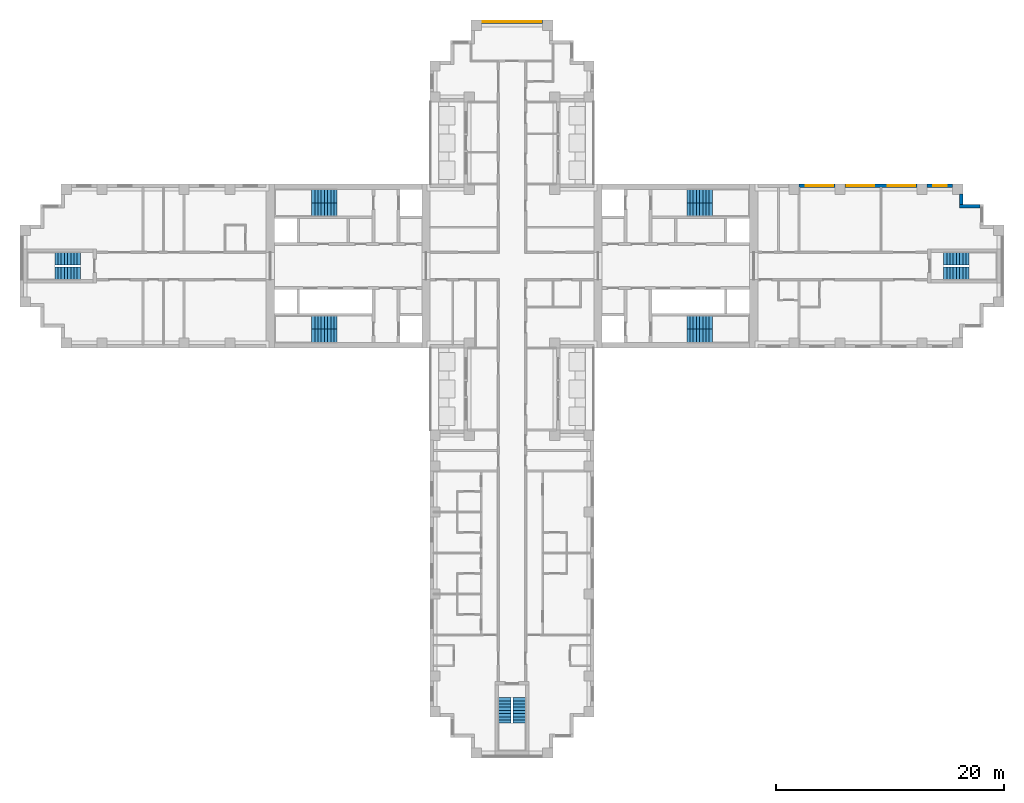
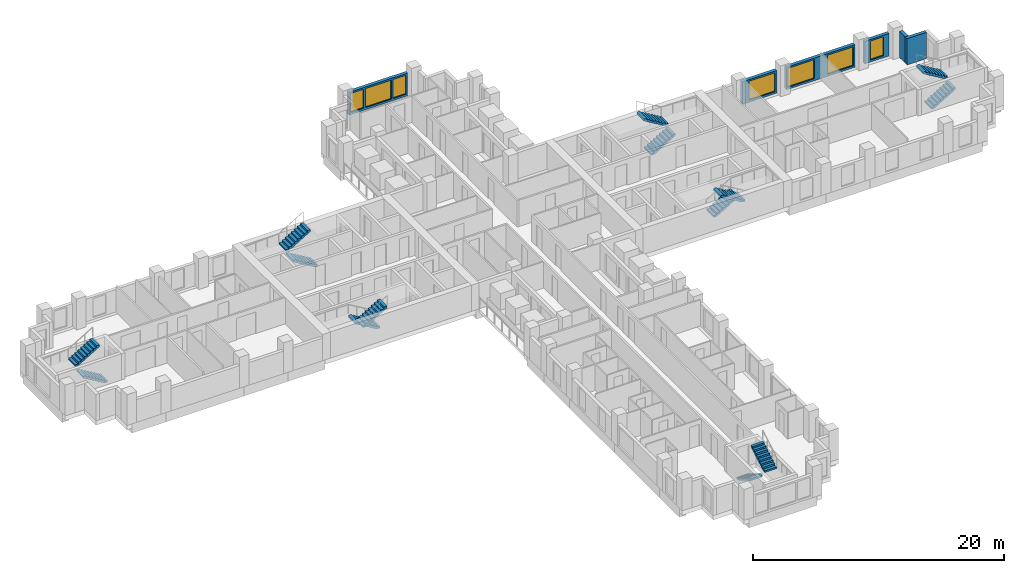
# One storey, part 11 of 13: 14 stair flights, 7 windows, 6 walls, 7 openings, 7 elements without a shape of their own.
"""IFC4 building model written with IfcOpenShell, lengths in metres."""

from ifc_helpers import new_model, si_unit, direction, frame, frame_2d, origin, place, context, subcontext, project, spatial, polyline, rectangle, outline, extrude, material, layer, layer_set, type_object, element, fill, aggregate, save


model = new_model("IFC4")

# Units and contexts
model_context = context("Model", 3, precision=1e-05, world=origin(), true_north=direction((0.0, 1.0)))
body_context = subcontext(model_context, "Body", "Model", "MODEL_VIEW")
ifc_project = project(units=[si_unit("LENGTHUNIT", "METRE"), si_unit("AREAUNIT", "SQUARE_METRE"), si_unit("VOLUMEUNIT", "CUBIC_METRE"), si_unit("PLANEANGLEUNIT", "RADIAN"), si_unit("MASSUNIT", "GRAM", prefix="KILO")], contexts=[model_context])

# Site, building, storey
site_placement = place(None, origin())
site = spatial("IfcSite", under=ifc_project, at=site_placement, CompositionType="ELEMENT")
building_placement = place(site_placement, origin())
building = spatial("IfcBuilding", under=site, at=building_placement, Name="Fustian Cross Tower", CompositionType="ELEMENT")
storey_placement = place(building_placement, frame((0.0, 0.0, 108.89990234375)))
storey = spatial("IfcBuildingStorey", under=building, at=storey_placement, Name="L34", CompositionType="ELEMENT", Elevation=108.89990234375)

# Walls
ifc_material_1 = material(Name="Dark aluminium cladding on insulated backing wall", Category="aluminium")
ifc_layer = layer(ifc_material_1, 0.300048828125)
ifc_layer_set = layer_set([ifc_layer], Name="Dark aluminium cladding on insulated backing wall")
wall_type = type_object("IfcWallType", Name="XW1 EXTERNAL WALL 300", PredefinedType="SOLIDWALL", material=ifc_layer_set)
wall_1_placement = place(storey_placement, frame((41.10009765625, 5.25, 0.0), z_axis=(0.0, 0.0, 1.0), x_axis=(-1.0, 0.0, 0.0)))
element("IfcWall", 1, at=wall_1_placement, inside=storey, type_object=wall_type, Name="External wall", PredefinedType="SOLIDWALL", context=body_context, shape_type="SweptSolid", body=[
    extrude(rectangle(XDim=1.800048828125, YDim=0.300048828125, at=frame_2d((0.89990234375, 0.0))), origin(), (0.0, 0.0, 1.0), 2.550048828125),
])
wall_2_placement = place(storey_placement, frame((39.449951171875, 5.39990234375, 0.0), z_axis=(0.0, 0.0, 1.0), x_axis=(0.0, 1.0, 0.0)))
element("IfcWall", 2, at=wall_2_placement, inside=storey, type_object=wall_type, Name="External wall", PredefinedType="SOLIDWALL", context=body_context, shape_type="SweptSolid", body=[
    extrude(rectangle(XDim=0.900146484375, YDim=0.300048828125, at=frame_2d((0.4501953125, 0.0))), origin(), (0.0, 0.0, 1.0), 2.550048828125),
])

# Wall, opening, window
wall_3_placement = place(storey_placement, frame((38.699951171875, 7.050048828125, 0.0), z_axis=(0.0, 0.0, 1.0), x_axis=(-1.0, 0.0, 0.0)))
wall_3 = element("IfcWall", 3, at=wall_3_placement, inside=storey, type_object=wall_type, Name="External wall", PredefinedType="SOLIDWALL", context=body_context, shape_type="SweptSolid", body=[
    extrude(rectangle(XDim=2.25, YDim=0.300048828125, at=frame_2d((1.125, 0.0))), origin(), (0.0, 0.0, 1.0), 2.2001953125),
])
opening_1_placement = place(wall_3_placement, frame((0.52490234375, 0.0, 0.199951171875)))
opening_1 = element("IfcOpeningElement", 4, at=opening_1_placement, cuts=wall_3, Name="Opening WN3", PredefinedType="OPENING", context=body_context, shape_type="SweptSolid", body=[
    extrude(rectangle(XDim=1.199951171875, YDim=1.85009765625, at=frame_2d((0.60009765625, 0.925048828125))), frame((0.0, 0.159912109375, 0.0), z_axis=(0.0, -1.0, 0.0), x_axis=(1.0, 0.0, 0.0)), (0.0, 0.0, 1.0), 0.320068359375),
])
ifc_material_2 = material(Name="Dark anodised aluminium and double glazing", Category="aluminium")
window_type_1 = type_object("IfcWindowType", Name="WN3 WINDOW 1200X1850", PartitioningType="SINGLE_PANEL", PredefinedType="WINDOW", material=ifc_material_2)
window_1_placement = place(opening_1_placement, origin())
window_1 = element("IfcWindow", 5, at=window_1_placement, inside=storey, type_object=window_type_1, Name="Window", OverallHeight=1.85009765625, OverallWidth=1.199951171875, PartitioningType="SINGLE_PANEL", PredefinedType="WINDOW", context=body_context, shape_type="SweptSolid", body=[
    extrude(rectangle(XDim=1.199951171875, YDim=1.85009765625, at=frame_2d((0.60009765625, 0.925048828125))), frame((0.0, 0.030029296875, 0.0), z_axis=(0.0, -1.0, 0.0), x_axis=(1.0, 0.0, 0.0)), (0.0, 0.0, 1.0), 0.06005859375),
])
fill(opening_1, window_1)

# Wall, openings, windows
wall_4_placement = place(storey_placement, frame((35.550048828125, 7.050048828125, 0.0), z_axis=(0.0, 0.0, 1.0), x_axis=(-1.0, 0.0, 0.0)))
wall_4 = element("IfcWall", 6, at=wall_4_placement, inside=storey, type_object=wall_type, Name="External wall", PredefinedType="SOLIDWALL", context=body_context, shape_type="SweptSolid", body=[
    extrude(rectangle(XDim=6.300048828125, YDim=0.300048828125, at=frame_2d((3.14990234375, 0.0))), origin(), (0.0, 0.0, 1.0), 2.2001953125),
])
opening_2_placement = place(wall_4_placement, frame((0.14990234375, 0.0, 0.199951171875)))
opening_2 = element("IfcOpeningElement", 7, at=opening_2_placement, cuts=wall_4, Name="Opening WN1", PredefinedType="OPENING", context=body_context, shape_type="SweptSolid", body=[
    extrude(rectangle(XDim=2.39990234375, YDim=1.85009765625, at=frame_2d((1.199951171875, 0.925048828125))), frame((0.0, 0.159912109375, 0.0), z_axis=(0.0, -1.0, 0.0), x_axis=(1.0, 0.0, 0.0)), (0.0, 0.0, 1.0), 0.320068359375),
])
opening_3_placement = place(wall_4_placement, frame((3.75, 0.0, 0.199951171875)))
opening_3 = element("IfcOpeningElement", 8, at=opening_3_placement, cuts=wall_4, Name="Opening WN1", PredefinedType="OPENING", context=body_context, shape_type="SweptSolid", body=[
    extrude(rectangle(XDim=2.39990234375, YDim=1.85009765625, at=frame_2d((1.199951171875, 0.925048828125))), frame((0.0, 0.159912109375, 0.0), z_axis=(0.0, -1.0, 0.0), x_axis=(1.0, 0.0, 0.0)), (0.0, 0.0, 1.0), 0.320068359375),
])
ifc_material_3 = material(Name="Dark anodised aluminium and double glazing", Category="aluminium")
window_type_2 = type_object("IfcWindowType", Name="WN1 WINDOW 2400X1850", PartitioningType="SINGLE_PANEL", PredefinedType="WINDOW", material=ifc_material_3)
window_2_placement = place(opening_2_placement, origin())
window_2 = element("IfcWindow", 9, at=window_2_placement, inside=storey, type_object=window_type_2, Name="Window", OverallHeight=1.85009765625, OverallWidth=2.39990234375, PartitioningType="SINGLE_PANEL", PredefinedType="WINDOW", context=body_context, shape_type="SweptSolid", body=[
    extrude(rectangle(XDim=2.39990234375, YDim=1.85009765625, at=frame_2d((1.199951171875, 0.925048828125))), frame((0.0, 0.030029296875, 0.0), z_axis=(0.0, -1.0, 0.0), x_axis=(1.0, 0.0, 0.0)), (0.0, 0.0, 1.0), 0.06005859375),
])
fill(opening_2, window_2)
window_3_placement = place(opening_3_placement, origin())
window_3 = element("IfcWindow", 10, at=window_3_placement, inside=storey, type_object=window_type_2, Name="Window", OverallHeight=1.85009765625, OverallWidth=2.39990234375, PartitioningType="SINGLE_PANEL", PredefinedType="WINDOW", context=body_context, shape_type="SweptSolid", body=[
    extrude(rectangle(XDim=2.39990234375, YDim=1.85009765625, at=frame_2d((1.199951171875, 0.925048828125))), frame((0.0, 0.030029296875, 0.0), z_axis=(0.0, -1.0, 0.0), x_axis=(1.0, 0.0, 0.0)), (0.0, 0.0, 1.0), 0.06005859375),
])
fill(opening_3, window_3)

# Wall, opening, window
wall_5_placement = place(storey_placement, frame((28.35009765625, 7.050048828125, 0.0), z_axis=(0.0, 0.0, 1.0), x_axis=(-1.0, 0.0, 0.0)))
wall_5 = element("IfcWall", 11, at=wall_5_placement, inside=storey, type_object=wall_type, Name="External wall", PredefinedType="SOLIDWALL", context=body_context, shape_type="SweptSolid", body=[
    extrude(rectangle(XDim=3.150146484375, YDim=0.300048828125, at=frame_2d((1.5751953125, 0.0))), origin(), (0.0, 0.0, 1.0), 2.2001953125),
])
opening_4_placement = place(wall_5_placement, frame((0.14990234375, 0.0, 0.199951171875)))
opening_4 = element("IfcOpeningElement", 12, at=opening_4_placement, cuts=wall_5, Name="Opening WN1", PredefinedType="OPENING", context=body_context, shape_type="SweptSolid", body=[
    extrude(rectangle(XDim=2.39990234375, YDim=1.85009765625, at=frame_2d((1.199951171875, 0.925048828125))), frame((0.0, 0.159912109375, 0.0), z_axis=(0.0, -1.0, 0.0), x_axis=(1.0, 0.0, 0.0)), (0.0, 0.0, 1.0), 0.320068359375),
])
window_4_placement = place(opening_4_placement, origin())
window_4 = element("IfcWindow", 13, at=window_4_placement, inside=storey, type_object=window_type_2, Name="Window", OverallHeight=1.85009765625, OverallWidth=2.39990234375, PartitioningType="SINGLE_PANEL", PredefinedType="WINDOW", context=body_context, shape_type="SweptSolid", body=[
    extrude(rectangle(XDim=2.39990234375, YDim=1.85009765625, at=frame_2d((1.199951171875, 0.925048828125))), frame((0.0, 0.030029296875, 0.0), z_axis=(0.0, -1.0, 0.0), x_axis=(1.0, 0.0, 0.0)), (0.0, 0.0, 1.0), 0.06005859375),
])
fill(opening_4, window_4)

# Wall, openings, windows
wall_6_placement = place(storey_placement, frame((2.699951171875, 21.449951171875, 0.0), z_axis=(0.0, 0.0, 1.0), x_axis=(-1.0, 0.0, 0.0)))
wall_6 = element("IfcWall", 14, at=wall_6_placement, inside=storey, type_object=wall_type, Name="External wall", PredefinedType="SOLIDWALL", context=body_context, shape_type="SweptSolid", body=[
    extrude(rectangle(XDim=5.39990234375, YDim=0.300048828125, at=frame_2d((2.699951171875, 0.0))), origin(), (0.0, 0.0, 1.0), 2.2001953125),
])
opening_5_placement = place(wall_6_placement, frame((1.5, 0.0, 0.199951171875)))
opening_5 = element("IfcOpeningElement", 15, at=opening_5_placement, cuts=wall_6, Name="Opening WN1", PredefinedType="OPENING", context=body_context, shape_type="SweptSolid", body=[
    extrude(rectangle(XDim=2.39990234375, YDim=1.85009765625, at=frame_2d((1.199951171875, 0.925048828125))), frame((0.0, 0.159912109375, 0.0), z_axis=(0.0, -1.0, 0.0), x_axis=(1.0, 0.0, 0.0)), (0.0, 0.0, 1.0), 0.320068359375),
])
opening_6_placement = place(wall_6_placement, frame((0.14990234375, 0.0, 0.199951171875)))
opening_6 = element("IfcOpeningElement", 16, at=opening_6_placement, cuts=wall_6, Name="Opening WN3", PredefinedType="OPENING", context=body_context, shape_type="SweptSolid", body=[
    extrude(rectangle(XDim=1.199951171875, YDim=1.85009765625, at=frame_2d((0.60009765625, 0.925048828125))), frame((0.0, 0.159912109375, 0.0), z_axis=(0.0, -1.0, 0.0), x_axis=(1.0, 0.0, 0.0)), (0.0, 0.0, 1.0), 0.320068359375),
])
opening_7_placement = place(wall_6_placement, frame((4.050048828125, 0.0, 0.199951171875)))
opening_7 = element("IfcOpeningElement", 17, at=opening_7_placement, cuts=wall_6, Name="Opening WN3", PredefinedType="OPENING", context=body_context, shape_type="SweptSolid", body=[
    extrude(rectangle(XDim=1.199951171875, YDim=1.85009765625, at=frame_2d((0.60009765625, 0.925048828125))), frame((0.0, 0.159912109375, 0.0), z_axis=(0.0, -1.0, 0.0), x_axis=(1.0, 0.0, 0.0)), (0.0, 0.0, 1.0), 0.320068359375),
])
window_5_placement = place(opening_5_placement, origin())
window_5 = element("IfcWindow", 18, at=window_5_placement, inside=storey, type_object=window_type_2, Name="Window", OverallHeight=1.85009765625, OverallWidth=2.39990234375, PartitioningType="SINGLE_PANEL", PredefinedType="WINDOW", context=body_context, shape_type="SweptSolid", body=[
    extrude(rectangle(XDim=2.39990234375, YDim=1.85009765625, at=frame_2d((1.199951171875, 0.925048828125))), frame((0.0, 0.030029296875, 0.0), z_axis=(0.0, -1.0, 0.0), x_axis=(1.0, 0.0, 0.0)), (0.0, 0.0, 1.0), 0.06005859375),
])
fill(opening_5, window_5)
window_6_placement = place(opening_6_placement, origin())
window_6 = element("IfcWindow", 19, at=window_6_placement, inside=storey, type_object=window_type_1, Name="Window", OverallHeight=1.85009765625, OverallWidth=1.199951171875, PartitioningType="SINGLE_PANEL", PredefinedType="WINDOW", context=body_context, shape_type="SweptSolid", body=[
    extrude(rectangle(XDim=1.199951171875, YDim=1.85009765625, at=frame_2d((0.60009765625, 0.925048828125))), frame((0.0, 0.030029296875, 0.0), z_axis=(0.0, -1.0, 0.0), x_axis=(1.0, 0.0, 0.0)), (0.0, 0.0, 1.0), 0.06005859375),
])
fill(opening_6, window_6)
window_7_placement = place(opening_7_placement, origin())
window_7 = element("IfcWindow", 20, at=window_7_placement, inside=storey, type_object=window_type_1, Name="Window", OverallHeight=1.85009765625, OverallWidth=1.199951171875, PartitioningType="SINGLE_PANEL", PredefinedType="WINDOW", context=body_context, shape_type="SweptSolid", body=[
    extrude(rectangle(XDim=1.199951171875, YDim=1.85009765625, at=frame_2d((0.60009765625, 0.925048828125))), frame((0.0, 0.030029296875, 0.0), z_axis=(0.0, -1.0, 0.0), x_axis=(1.0, 0.0, 0.0)), (0.0, 0.0, 1.0), 0.06005859375),
])
fill(opening_7, window_7)

# Stair, stair flights
ifc_material_4 = material(Name="Concrete C50/60", Category="concrete")
stair_type_1 = type_object("IfcStairType", Name="STAIR 1100 HALF TURN", PredefinedType="HALF_TURN_STAIR", material=ifc_material_4)
stair_1_placement = place(storey_placement, origin())
stair_1 = element("IfcStair", 21, at=stair_1_placement, inside=storey, type_object=stair_type_1, Name="Stair ST6", PredefinedType="HALF_TURN_STAIR")
ifc_material_5 = material(Name="Concrete C50/60", Category="concrete")
stair_flight_type_1 = type_object("IfcStairFlightType", Name="STAIR FLIGHT 1100", PredefinedType="STRAIGHT", material=ifc_material_5)
stair_flight_1_placement = place(storey_placement, frame((-0.64990234375, -37.89990234375, 0.0), z_axis=(0.0, 0.0, 1.0), x_axis=(0.0, -1.0, 0.0)))
stair_flight_1 = element("IfcStairFlight", 22, at=stair_flight_1_placement, type_object=stair_flight_type_1, Name="ST6 flight 1", NumberOfRisers=9, NumberOfTreads=8, PredefinedType="STRAIGHT", RiserHeight=0.166666667, TreadLength=0.28, context=body_context, shape_type="SweptSolid", body=[
    extrude(outline(polyline([(0.0, 0.0), (0.0, 0.166748046875), (0.280029296875, 0.166748046875), (0.280029296875, 0.333251953125), (0.56005859375, 0.333251953125), (0.56005859375, 0.5), (0.840087890625, 0.5), (0.840087890625, 0.666748046875), (1.1201171875, 0.666748046875), (1.1201171875, 0.833251953125), (1.39990234375, 0.833251953125), (1.39990234375, 1.0), (1.679931640625, 1.0), (1.679931640625, 1.166748046875), (1.9599609375, 1.166748046875), (1.9599609375, 1.333251953125), (2.239990234375, 1.333251953125), (2.239990234375, 1.5), (2.239990234375, 1.158935546875), (0.29296875, 0.0), (0.0, 0.0)])), frame((0.0, 0.550048828125, 0.0), z_axis=(0.0, -1.0, 0.0), x_axis=(1.0, 0.0, 0.0)), (0.0, 0.0, 1.0), 1.10009765625),
])
stair_flight_2_placement = place(storey_placement, frame((0.64990234375, -40.139892578125, 1.5), z_axis=(0.0, 0.0, 1.0), x_axis=(0.0, 1.0, 0.0)))
stair_flight_2 = element("IfcStairFlight", 23, at=stair_flight_2_placement, type_object=stair_flight_type_1, Name="ST6 flight 2", NumberOfRisers=9, NumberOfTreads=8, PredefinedType="STRAIGHT", RiserHeight=0.166666667, TreadLength=0.28, context=body_context, shape_type="SweptSolid", body=[
    extrude(outline(polyline([(0.0, 0.0), (0.0, 0.166748046875), (0.280029296875, 0.166748046875), (0.280029296875, 0.333251953125), (0.56005859375, 0.333251953125), (0.56005859375, 0.5), (0.840087890625, 0.5), (0.840087890625, 0.666748046875), (1.1201171875, 0.666748046875), (1.1201171875, 0.833251953125), (1.39990234375, 0.833251953125), (1.39990234375, 1.0), (1.679931640625, 1.0), (1.679931640625, 1.166748046875), (1.9599609375, 1.166748046875), (1.9599609375, 1.333251953125), (2.239990234375, 1.333251953125), (2.239990234375, 1.5), (2.239990234375, 1.158935546875), (0.29296875, 0.0), (0.0, 0.0)])), frame((0.0, 0.550048828125, 0.0), z_axis=(0.0, -1.0, 0.0), x_axis=(1.0, 0.0, 0.0)), (0.0, 0.0, 1.0), 1.10009765625),
])
aggregate(stair_1, [stair_flight_1, stair_flight_2])

stair_2_placement = place(storey_placement, origin())
stair_2 = element("IfcStair", 24, at=stair_2_placement, inside=storey, type_object=stair_type_1, Name="Stair ST8", PredefinedType="HALF_TURN_STAIR")
stair_flight_3_placement = place(storey_placement, frame((37.89990234375, -0.64990234375, 0.0), z_axis=(0.0, 0.0, 1.0), x_axis=(1.0, 0.0, 0.0)))
stair_flight_3 = element("IfcStairFlight", 25, at=stair_flight_3_placement, type_object=stair_flight_type_1, Name="ST8 flight 1", NumberOfRisers=9, NumberOfTreads=8, PredefinedType="STRAIGHT", RiserHeight=0.166666667, TreadLength=0.28, context=body_context, shape_type="SweptSolid", body=[
    extrude(outline(polyline([(0.0, 0.0), (0.0, 0.166748046875), (0.280029296875, 0.166748046875), (0.280029296875, 0.333251953125), (0.56005859375, 0.333251953125), (0.56005859375, 0.5), (0.840087890625, 0.5), (0.840087890625, 0.666748046875), (1.1201171875, 0.666748046875), (1.1201171875, 0.833251953125), (1.39990234375, 0.833251953125), (1.39990234375, 1.0), (1.679931640625, 1.0), (1.679931640625, 1.166748046875), (1.9599609375, 1.166748046875), (1.9599609375, 1.333251953125), (2.239990234375, 1.333251953125), (2.239990234375, 1.5), (2.239990234375, 1.158935546875), (0.29296875, 0.0), (0.0, 0.0)])), frame((0.0, 0.550048828125, 0.0), z_axis=(0.0, -1.0, 0.0), x_axis=(1.0, 0.0, 0.0)), (0.0, 0.0, 1.0), 1.10009765625),
])
stair_flight_4_placement = place(storey_placement, frame((40.139892578125, 0.64990234375, 1.5), z_axis=(0.0, 0.0, 1.0), x_axis=(-1.0, 0.0, 0.0)))
stair_flight_4 = element("IfcStairFlight", 26, at=stair_flight_4_placement, type_object=stair_flight_type_1, Name="ST8 flight 2", NumberOfRisers=9, NumberOfTreads=8, PredefinedType="STRAIGHT", RiserHeight=0.166666667, TreadLength=0.28, context=body_context, shape_type="SweptSolid", body=[
    extrude(outline(polyline([(0.0, 0.0), (0.0, 0.166748046875), (0.280029296875, 0.166748046875), (0.280029296875, 0.333251953125), (0.56005859375, 0.333251953125), (0.56005859375, 0.5), (0.840087890625, 0.5), (0.840087890625, 0.666748046875), (1.1201171875, 0.666748046875), (1.1201171875, 0.833251953125), (1.39990234375, 0.833251953125), (1.39990234375, 1.0), (1.679931640625, 1.0), (1.679931640625, 1.166748046875), (1.9599609375, 1.166748046875), (1.9599609375, 1.333251953125), (2.239990234375, 1.333251953125), (2.239990234375, 1.5), (2.239990234375, 1.158935546875), (0.29296875, 0.0), (0.0, 0.0)])), frame((0.0, 0.550048828125, 0.0), z_axis=(0.0, -1.0, 0.0), x_axis=(1.0, 0.0, 0.0)), (0.0, 0.0, 1.0), 1.10009765625),
])
aggregate(stair_2, [stair_flight_3, stair_flight_4])

stair_3_placement = place(storey_placement, origin())
stair_3 = element("IfcStair", 27, at=stair_3_placement, inside=storey, type_object=stair_type_1, Name="Stair ST9", PredefinedType="HALF_TURN_STAIR")
stair_flight_5_placement = place(storey_placement, frame((-37.89990234375, -0.64990234375, 0.0), z_axis=(0.0, 0.0, 1.0), x_axis=(-1.0, 0.0, 0.0)))
stair_flight_5 = element("IfcStairFlight", 28, at=stair_flight_5_placement, type_object=stair_flight_type_1, Name="ST9 flight 1", NumberOfRisers=9, NumberOfTreads=8, PredefinedType="STRAIGHT", RiserHeight=0.166666667, TreadLength=0.28, context=body_context, shape_type="SweptSolid", body=[
    extrude(outline(polyline([(0.0, 0.0), (0.0, 0.166748046875), (0.280029296875, 0.166748046875), (0.280029296875, 0.333251953125), (0.56005859375, 0.333251953125), (0.56005859375, 0.5), (0.840087890625, 0.5), (0.840087890625, 0.666748046875), (1.1201171875, 0.666748046875), (1.1201171875, 0.833251953125), (1.39990234375, 0.833251953125), (1.39990234375, 1.0), (1.679931640625, 1.0), (1.679931640625, 1.166748046875), (1.9599609375, 1.166748046875), (1.9599609375, 1.333251953125), (2.239990234375, 1.333251953125), (2.239990234375, 1.5), (2.239990234375, 1.158935546875), (0.29296875, 0.0), (0.0, 0.0)])), frame((0.0, 0.550048828125, 0.0), z_axis=(0.0, -1.0, 0.0), x_axis=(1.0, 0.0, 0.0)), (0.0, 0.0, 1.0), 1.10009765625),
])
stair_flight_6_placement = place(storey_placement, frame((-40.139892578125, 0.64990234375, 1.5), z_axis=(0.0, 0.0, 1.0), x_axis=(1.0, 0.0, 0.0)))
stair_flight_6 = element("IfcStairFlight", 29, at=stair_flight_6_placement, type_object=stair_flight_type_1, Name="ST9 flight 2", NumberOfRisers=9, NumberOfTreads=8, PredefinedType="STRAIGHT", RiserHeight=0.166666667, TreadLength=0.28, context=body_context, shape_type="SweptSolid", body=[
    extrude(outline(polyline([(0.0, 0.0), (0.0, 0.166748046875), (0.280029296875, 0.166748046875), (0.280029296875, 0.333251953125), (0.56005859375, 0.333251953125), (0.56005859375, 0.5), (0.840087890625, 0.5), (0.840087890625, 0.666748046875), (1.1201171875, 0.666748046875), (1.1201171875, 0.833251953125), (1.39990234375, 0.833251953125), (1.39990234375, 1.0), (1.679931640625, 1.0), (1.679931640625, 1.166748046875), (1.9599609375, 1.166748046875), (1.9599609375, 1.333251953125), (2.239990234375, 1.333251953125), (2.239990234375, 1.5), (2.239990234375, 1.158935546875), (0.29296875, 0.0), (0.0, 0.0)])), frame((0.0, 0.550048828125, 0.0), z_axis=(0.0, -1.0, 0.0), x_axis=(1.0, 0.0, 0.0)), (0.0, 0.0, 1.0), 1.10009765625),
])
aggregate(stair_3, [stair_flight_5, stair_flight_6])

ifc_material_6 = material(Name="Concrete C50/60", Category="concrete")
stair_type_2 = type_object("IfcStairType", Name="STAIR 1150 HALF TURN", PredefinedType="HALF_TURN_STAIR", material=ifc_material_6)
stair_4_placement = place(storey_placement, origin())
stair_4 = element("IfcStair", 30, at=stair_4_placement, inside=storey, type_object=stair_type_2, Name="Stair ST1", PredefinedType="HALF_TURN_STAIR")
ifc_material_7 = material(Name="Concrete C50/60", Category="concrete")
stair_flight_type_2 = type_object("IfcStairFlightType", Name="STAIR FLIGHT 1150", PredefinedType="STRAIGHT", material=ifc_material_7)
stair_flight_7_placement = place(storey_placement, frame((15.35009765625, 4.97509765625, 0.0), z_axis=(0.0, 0.0, 1.0), x_axis=(1.0, 0.0, 0.0)))
stair_flight_7 = element("IfcStairFlight", 31, at=stair_flight_7_placement, type_object=stair_flight_type_2, Name="ST1 flight 1", NumberOfRisers=9, NumberOfTreads=8, PredefinedType="STRAIGHT", RiserHeight=0.166666667, TreadLength=0.28, context=body_context, shape_type="SweptSolid", body=[
    extrude(outline(polyline([(0.0, 0.0), (0.0, 0.166748046875), (0.280029296875, 0.166748046875), (0.280029296875, 0.333251953125), (0.56005859375, 0.333251953125), (0.56005859375, 0.5), (0.840087890625, 0.5), (0.840087890625, 0.666748046875), (1.1201171875, 0.666748046875), (1.1201171875, 0.833251953125), (1.39990234375, 0.833251953125), (1.39990234375, 1.0), (1.679931640625, 1.0), (1.679931640625, 1.166748046875), (1.9599609375, 1.166748046875), (1.9599609375, 1.333251953125), (2.239990234375, 1.333251953125), (2.239990234375, 1.5), (2.239990234375, 1.158935546875), (0.29296875, 0.0), (0.0, 0.0)])), frame((0.0, 0.574951171875, 0.0), z_axis=(0.0, -1.0, 0.0), x_axis=(1.0, 0.0, 0.0)), (0.0, 0.0, 1.0), 1.14990234375),
])
stair_flight_8_placement = place(storey_placement, frame((17.590087890625, 6.125, 1.5), z_axis=(0.0, 0.0, 1.0), x_axis=(-1.0, 0.0, 0.0)))
stair_flight_8 = element("IfcStairFlight", 32, at=stair_flight_8_placement, type_object=stair_flight_type_2, Name="ST1 flight 2", NumberOfRisers=9, NumberOfTreads=8, PredefinedType="STRAIGHT", RiserHeight=0.166666667, TreadLength=0.28, context=body_context, shape_type="SweptSolid", body=[
    extrude(outline(polyline([(0.0, 0.0), (0.0, 0.166748046875), (0.280029296875, 0.166748046875), (0.280029296875, 0.333251953125), (0.56005859375, 0.333251953125), (0.56005859375, 0.5), (0.840087890625, 0.5), (0.840087890625, 0.666748046875), (1.1201171875, 0.666748046875), (1.1201171875, 0.833251953125), (1.39990234375, 0.833251953125), (1.39990234375, 1.0), (1.679931640625, 1.0), (1.679931640625, 1.166748046875), (1.9599609375, 1.166748046875), (1.9599609375, 1.333251953125), (2.239990234375, 1.333251953125), (2.239990234375, 1.5), (2.239990234375, 1.158935546875), (0.29296875, 0.0), (0.0, 0.0)])), frame((0.0, 0.574951171875, 0.0), z_axis=(0.0, -1.0, 0.0), x_axis=(1.0, 0.0, 0.0)), (0.0, 0.0, 1.0), 1.14990234375),
])
aggregate(stair_4, [stair_flight_7, stair_flight_8])

stair_5_placement = place(storey_placement, origin())
stair_5 = element("IfcStair", 33, at=stair_5_placement, inside=storey, type_object=stair_type_2, Name="Stair ST2", PredefinedType="HALF_TURN_STAIR")
stair_flight_9_placement = place(storey_placement, frame((15.35009765625, -4.97509765625, 0.0), z_axis=(0.0, 0.0, 1.0), x_axis=(1.0, 0.0, 0.0)))
stair_flight_9 = element("IfcStairFlight", 34, at=stair_flight_9_placement, type_object=stair_flight_type_2, Name="ST2 flight 1", NumberOfRisers=9, NumberOfTreads=8, PredefinedType="STRAIGHT", RiserHeight=0.166666667, TreadLength=0.28, context=body_context, shape_type="SweptSolid", body=[
    extrude(outline(polyline([(0.0, 0.0), (0.0, 0.166748046875), (0.280029296875, 0.166748046875), (0.280029296875, 0.333251953125), (0.56005859375, 0.333251953125), (0.56005859375, 0.5), (0.840087890625, 0.5), (0.840087890625, 0.666748046875), (1.1201171875, 0.666748046875), (1.1201171875, 0.833251953125), (1.39990234375, 0.833251953125), (1.39990234375, 1.0), (1.679931640625, 1.0), (1.679931640625, 1.166748046875), (1.9599609375, 1.166748046875), (1.9599609375, 1.333251953125), (2.239990234375, 1.333251953125), (2.239990234375, 1.5), (2.239990234375, 1.158935546875), (0.29296875, 0.0), (0.0, 0.0)])), frame((0.0, 0.574951171875, 0.0), z_axis=(0.0, -1.0, 0.0), x_axis=(1.0, 0.0, 0.0)), (0.0, 0.0, 1.0), 1.14990234375),
])
stair_flight_10_placement = place(storey_placement, frame((17.590087890625, -6.125, 1.5), z_axis=(0.0, 0.0, 1.0), x_axis=(-1.0, 0.0, 0.0)))
stair_flight_10 = element("IfcStairFlight", 35, at=stair_flight_10_placement, type_object=stair_flight_type_2, Name="ST2 flight 2", NumberOfRisers=9, NumberOfTreads=8, PredefinedType="STRAIGHT", RiserHeight=0.166666667, TreadLength=0.28, context=body_context, shape_type="SweptSolid", body=[
    extrude(outline(polyline([(0.0, 0.0), (0.0, 0.166748046875), (0.280029296875, 0.166748046875), (0.280029296875, 0.333251953125), (0.56005859375, 0.333251953125), (0.56005859375, 0.5), (0.840087890625, 0.5), (0.840087890625, 0.666748046875), (1.1201171875, 0.666748046875), (1.1201171875, 0.833251953125), (1.39990234375, 0.833251953125), (1.39990234375, 1.0), (1.679931640625, 1.0), (1.679931640625, 1.166748046875), (1.9599609375, 1.166748046875), (1.9599609375, 1.333251953125), (2.239990234375, 1.333251953125), (2.239990234375, 1.5), (2.239990234375, 1.158935546875), (0.29296875, 0.0), (0.0, 0.0)])), frame((0.0, 0.574951171875, 0.0), z_axis=(0.0, -1.0, 0.0), x_axis=(1.0, 0.0, 0.0)), (0.0, 0.0, 1.0), 1.14990234375),
])
aggregate(stair_5, [stair_flight_9, stair_flight_10])

stair_6_placement = place(storey_placement, origin())
stair_6 = element("IfcStair", 36, at=stair_6_placement, inside=storey, type_object=stair_type_2, Name="Stair ST3", PredefinedType="HALF_TURN_STAIR")
stair_flight_11_placement = place(storey_placement, frame((-15.35009765625, 4.97509765625, 0.0), z_axis=(0.0, 0.0, 1.0), x_axis=(-1.0, 0.0, 0.0)))
stair_flight_11 = element("IfcStairFlight", 37, at=stair_flight_11_placement, type_object=stair_flight_type_2, Name="ST3 flight 1", NumberOfRisers=9, NumberOfTreads=8, PredefinedType="STRAIGHT", RiserHeight=0.166666667, TreadLength=0.28, context=body_context, shape_type="SweptSolid", body=[
    extrude(outline(polyline([(0.0, 0.0), (0.0, 0.166748046875), (0.280029296875, 0.166748046875), (0.280029296875, 0.333251953125), (0.56005859375, 0.333251953125), (0.56005859375, 0.5), (0.840087890625, 0.5), (0.840087890625, 0.666748046875), (1.1201171875, 0.666748046875), (1.1201171875, 0.833251953125), (1.39990234375, 0.833251953125), (1.39990234375, 1.0), (1.679931640625, 1.0), (1.679931640625, 1.166748046875), (1.9599609375, 1.166748046875), (1.9599609375, 1.333251953125), (2.239990234375, 1.333251953125), (2.239990234375, 1.5), (2.239990234375, 1.158935546875), (0.29296875, 0.0), (0.0, 0.0)])), frame((0.0, 0.574951171875, 0.0), z_axis=(0.0, -1.0, 0.0), x_axis=(1.0, 0.0, 0.0)), (0.0, 0.0, 1.0), 1.14990234375),
])
stair_flight_12_placement = place(storey_placement, frame((-17.590087890625, 6.125, 1.5), z_axis=(0.0, 0.0, 1.0), x_axis=(1.0, 0.0, 0.0)))
stair_flight_12 = element("IfcStairFlight", 38, at=stair_flight_12_placement, type_object=stair_flight_type_2, Name="ST3 flight 2", NumberOfRisers=9, NumberOfTreads=8, PredefinedType="STRAIGHT", RiserHeight=0.166666667, TreadLength=0.28, context=body_context, shape_type="SweptSolid", body=[
    extrude(outline(polyline([(0.0, 0.0), (0.0, 0.166748046875), (0.280029296875, 0.166748046875), (0.280029296875, 0.333251953125), (0.56005859375, 0.333251953125), (0.56005859375, 0.5), (0.840087890625, 0.5), (0.840087890625, 0.666748046875), (1.1201171875, 0.666748046875), (1.1201171875, 0.833251953125), (1.39990234375, 0.833251953125), (1.39990234375, 1.0), (1.679931640625, 1.0), (1.679931640625, 1.166748046875), (1.9599609375, 1.166748046875), (1.9599609375, 1.333251953125), (2.239990234375, 1.333251953125), (2.239990234375, 1.5), (2.239990234375, 1.158935546875), (0.29296875, 0.0), (0.0, 0.0)])), frame((0.0, 0.574951171875, 0.0), z_axis=(0.0, -1.0, 0.0), x_axis=(1.0, 0.0, 0.0)), (0.0, 0.0, 1.0), 1.14990234375),
])
aggregate(stair_6, [stair_flight_11, stair_flight_12])

stair_7_placement = place(storey_placement, origin())
stair_7 = element("IfcStair", 39, at=stair_7_placement, inside=storey, type_object=stair_type_2, Name="Stair ST4", PredefinedType="HALF_TURN_STAIR")
stair_flight_13_placement = place(storey_placement, frame((-15.35009765625, -4.97509765625, 0.0), z_axis=(0.0, 0.0, 1.0), x_axis=(-1.0, 0.0, 0.0)))
stair_flight_13 = element("IfcStairFlight", 40, at=stair_flight_13_placement, type_object=stair_flight_type_2, Name="ST4 flight 1", NumberOfRisers=9, NumberOfTreads=8, PredefinedType="STRAIGHT", RiserHeight=0.166666667, TreadLength=0.28, context=body_context, shape_type="SweptSolid", body=[
    extrude(outline(polyline([(0.0, 0.0), (0.0, 0.166748046875), (0.280029296875, 0.166748046875), (0.280029296875, 0.333251953125), (0.56005859375, 0.333251953125), (0.56005859375, 0.5), (0.840087890625, 0.5), (0.840087890625, 0.666748046875), (1.1201171875, 0.666748046875), (1.1201171875, 0.833251953125), (1.39990234375, 0.833251953125), (1.39990234375, 1.0), (1.679931640625, 1.0), (1.679931640625, 1.166748046875), (1.9599609375, 1.166748046875), (1.9599609375, 1.333251953125), (2.239990234375, 1.333251953125), (2.239990234375, 1.5), (2.239990234375, 1.158935546875), (0.29296875, 0.0), (0.0, 0.0)])), frame((0.0, 0.574951171875, 0.0), z_axis=(0.0, -1.0, 0.0), x_axis=(1.0, 0.0, 0.0)), (0.0, 0.0, 1.0), 1.14990234375),
])
stair_flight_14_placement = place(storey_placement, frame((-17.590087890625, -6.125, 1.5), z_axis=(0.0, 0.0, 1.0), x_axis=(1.0, 0.0, 0.0)))
stair_flight_14 = element("IfcStairFlight", 41, at=stair_flight_14_placement, type_object=stair_flight_type_2, Name="ST4 flight 2", NumberOfRisers=9, NumberOfTreads=8, PredefinedType="STRAIGHT", RiserHeight=0.166666667, TreadLength=0.28, context=body_context, shape_type="SweptSolid", body=[
    extrude(outline(polyline([(0.0, 0.0), (0.0, 0.166748046875), (0.280029296875, 0.166748046875), (0.280029296875, 0.333251953125), (0.56005859375, 0.333251953125), (0.56005859375, 0.5), (0.840087890625, 0.5), (0.840087890625, 0.666748046875), (1.1201171875, 0.666748046875), (1.1201171875, 0.833251953125), (1.39990234375, 0.833251953125), (1.39990234375, 1.0), (1.679931640625, 1.0), (1.679931640625, 1.166748046875), (1.9599609375, 1.166748046875), (1.9599609375, 1.333251953125), (2.239990234375, 1.333251953125), (2.239990234375, 1.5), (2.239990234375, 1.158935546875), (0.29296875, 0.0), (0.0, 0.0)])), frame((0.0, 0.574951171875, 0.0), z_axis=(0.0, -1.0, 0.0), x_axis=(1.0, 0.0, 0.0)), (0.0, 0.0, 1.0), 1.14990234375),
])
aggregate(stair_7, [stair_flight_13, stair_flight_14])

save(model, "model.ifc")
